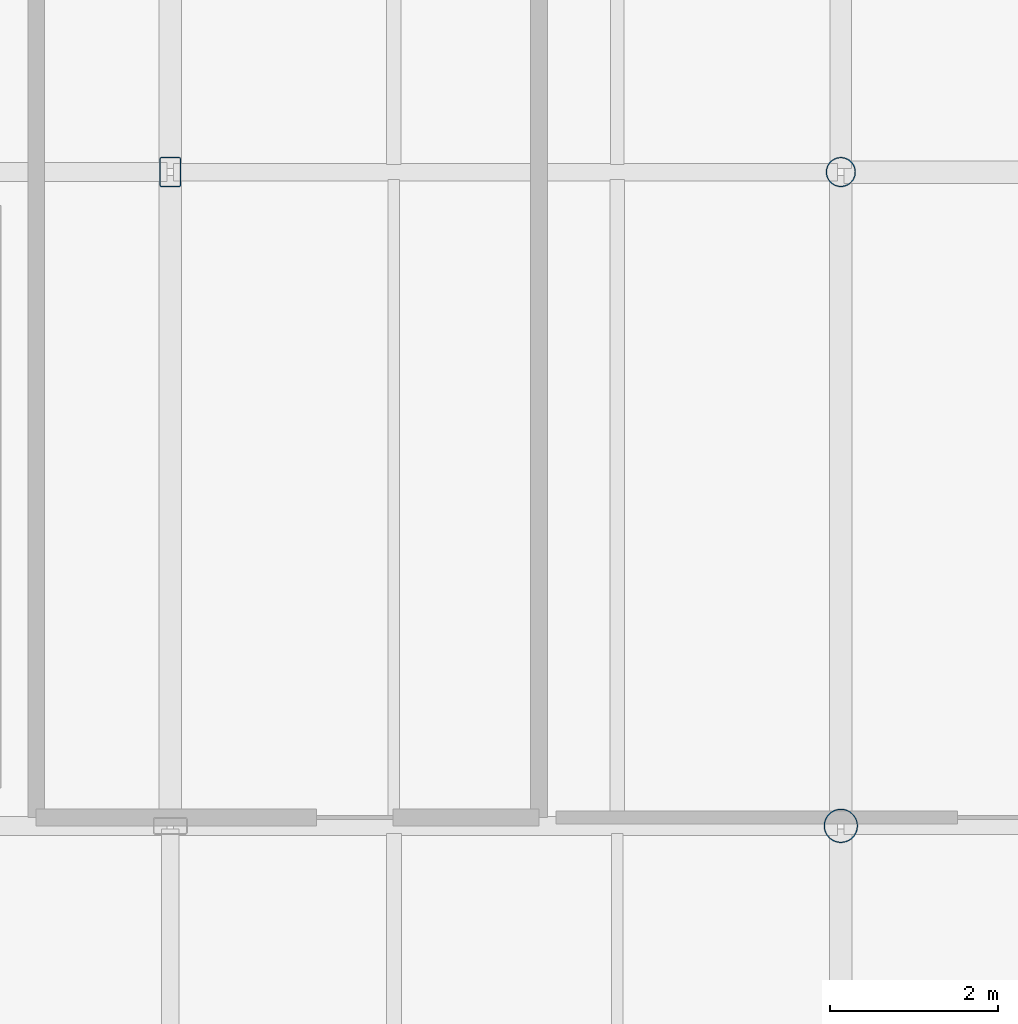
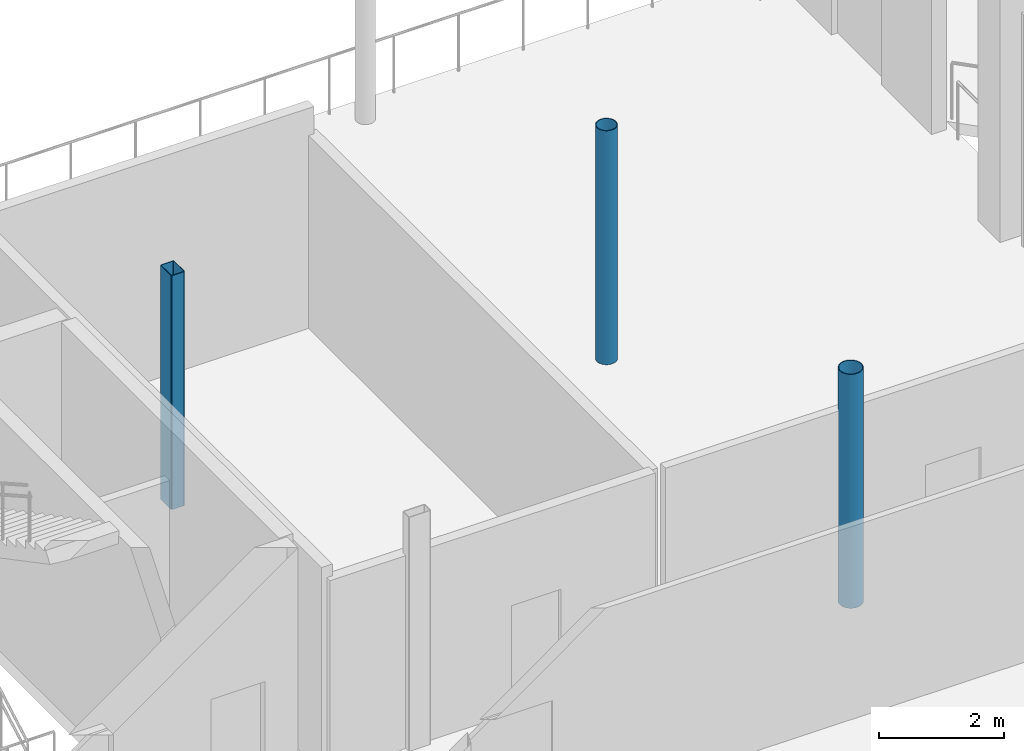
# One storey, part 17 of 93: 3 columns.
"""IFC4 building model written with IfcOpenShell, lengths in metres."""

from ifc_helpers import new_model, si_unit, direction, frame, origin, origin_2d, place, context, subcontext, project, spatial, hollow_rectangle, hollow_circle, extrude, material, material_profile, profile_set, type_object, element, save


model = new_model("IFC4")

# Units and contexts
model_context = context("Model", 3, precision=1e-05, world=origin(), true_north=direction((0.0, 1.0)))
body_context = subcontext(model_context, "Body", "Model", "MODEL_VIEW")
ifc_project = project(units=[si_unit("LENGTHUNIT", "METRE"), si_unit("AREAUNIT", "SQUARE_METRE"), si_unit("VOLUMEUNIT", "CUBIC_METRE"), si_unit("PLANEANGLEUNIT", "RADIAN"), si_unit("MASSUNIT", "GRAM", prefix="KILO")], contexts=[model_context])

# Site, building, storey
site_placement = place(None, origin())
site = spatial("IfcSite", under=ifc_project, at=site_placement, CompositionType="ELEMENT")
building_placement = place(site_placement, origin())
building = spatial("IfcBuilding", under=site, at=building_placement, Name="Brisemont Oceanarium", CompositionType="ELEMENT")
storey_placement = place(building_placement, frame((0.0, 0.0, 5.39990234375)))
storey = spatial("IfcBuildingStorey", under=building, at=storey_placement, Name="L01", CompositionType="ELEMENT", Elevation=5.39990234375)

# Columns
ifc_material_1 = material(Name="Structural Steel ASTM A500 Gr.C", Category="steel")
ifc_material_profile_1 = material_profile(ifc_material_1, hollow_circle(Radius=0.177978515625, WallThickness=0.01171875, at=origin_2d()), Name="HSS14.000X0.500")
ifc_profile_set_1 = profile_set([ifc_material_profile_1], Name="Structural Steel ASTM A500 Gr.C")
column_type_1 = type_object("IfcColumnType", Name="COL-CHS14", PredefinedType="COLUMN", material=ifc_profile_set_1)
column_1_placement = place(storey_placement, frame((136.0, 63.800048828125, 0.0), z_axis=(0.0, 0.0, 1.0), x_axis=(0.0, 1.0, 0.0)))
element("IfcColumn", 1, at=column_1_placement, inside=storey, type_object=column_type_1, Name="V5E L01 column (3,4)", PredefinedType="COLUMN", context=body_context, shape_type="SweptSolid", body=[
    extrude(hollow_circle(Radius=0.177978515625, WallThickness=0.01171875, at=origin_2d()), origin(), (0.0, 0.0, 1.0), 4.56005859375),
])
ifc_material_2 = material(Name="Structural Steel ASTM A500 Gr.C", Category="steel")
ifc_material_profile_2 = material_profile(ifc_material_2, hollow_circle(Radius=0.202880859375, WallThickness=0.01171875, at=origin_2d()), Name="HSS16.000X0.500")
ifc_profile_set_2 = profile_set([ifc_material_profile_2], Name="Structural Steel ASTM A500 Gr.C")
column_type_2 = type_object("IfcColumnType", Name="COL-CHS16", PredefinedType="COLUMN", material=ifc_profile_set_2)
column_2_placement = place(storey_placement, frame((136.0, 56.0, 0.0), z_axis=(0.0, 0.0, 1.0), x_axis=(1.0, 0.0, 0.0)))
element("IfcColumn", 2, at=column_2_placement, inside=storey, type_object=column_type_2, Name="V5E L01 column (3,3)", PredefinedType="COLUMN", context=body_context, shape_type="SweptSolid", body=[
    extrude(hollow_circle(Radius=0.202880859375, WallThickness=0.01171875, at=origin_2d()), origin(), (0.0, 0.0, 1.0), 4.56005859375),
])
ifc_material_3 = material(Name="Structural Steel ASTM A500 Gr.C", Category="steel")
ifc_material_profile_3 = material_profile(ifc_material_3, hollow_rectangle(XDim=0.25390625, YDim=0.35595703125, WallThickness=0.01171875, InnerFilletRadius=0.01220703125, OuterFilletRadius=0.02392578125, at=origin_2d()), Name="HSS14X10X1/2")
ifc_profile_set_3 = profile_set([ifc_material_profile_3], Name="Structural Steel ASTM A500 Gr.C")
column_type_3 = type_object("IfcColumnType", Name="COL-HSS14X10", PredefinedType="COLUMN", material=ifc_profile_set_3)
column_3_placement = place(storey_placement, frame((128.0, 63.800048828125, 0.0), z_axis=(0.0, 0.0, 1.0), x_axis=(1.0, 0.0, 0.0)))
element("IfcColumn", 3, at=column_3_placement, inside=storey, type_object=column_type_3, Name="V5E L01 column (2,4)", PredefinedType="COLUMN", context=body_context, shape_type="SweptSolid", body=[
    extrude(hollow_rectangle(XDim=0.25390625, YDim=0.35595703125, WallThickness=0.01171875, InnerFilletRadius=0.01220703125, OuterFilletRadius=0.02392578125, at=origin_2d()), origin(), (0.0, 0.0, 1.0), 4.56005859375),
])

save(model, "model.ifc")
